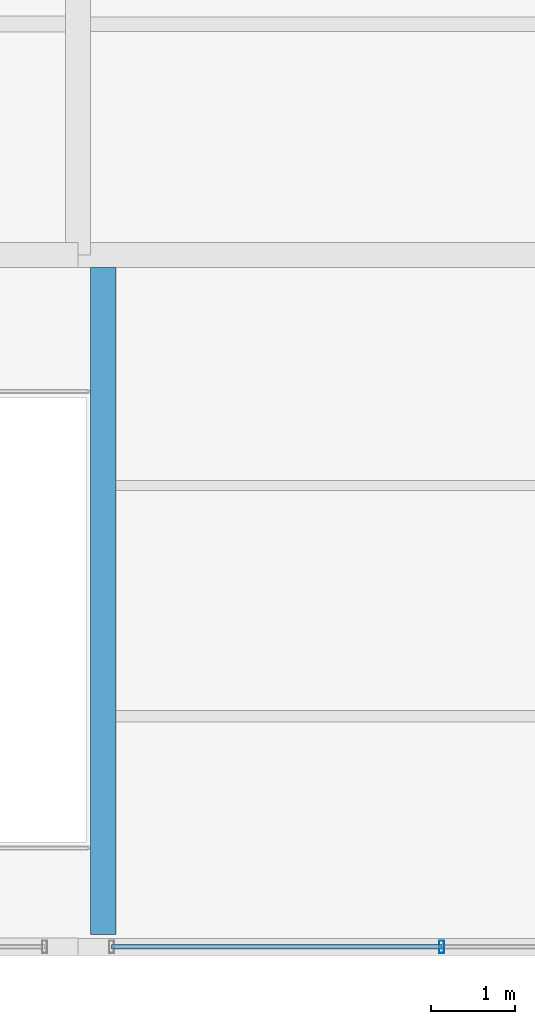
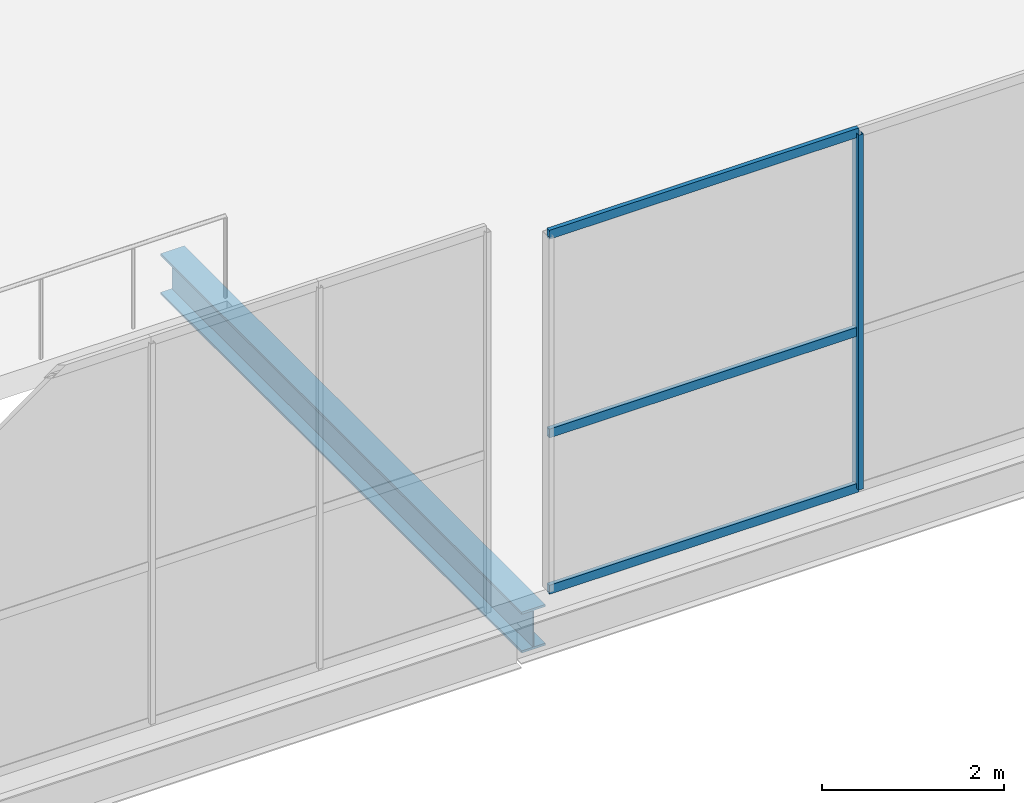
# One storey, part 84 of 144: 4 members, 1 beam, 1 element without a shape of its own.
"""IFC4 building model written with IfcOpenShell, lengths in metres."""

import ifcopenshell
import ifcopenshell.guid

model = None  # the IFC model being written
_history = None  # IfcOwnerHistory: only IFC2X3 demands one
_inside = {}  # id of a spatial element -> (the spatial element, [elements in it])
_under = {}  # id of a project, library or spatial element -> (it, [spatial elements below it])
_declared = {}  # id of a project -> (the project, [libraries it declares])
_typed = {}  # id of a type object -> (the type object, [elements of that type])
_made_of = {}  # id of a material, layer set ... -> (it, [elements and type objects made of it])


def new_model(schema):
    """Start an empty IFC model of exactly this schema.

    Asked for "IFC4X3", IfcOpenShell would pick the latest addendum, in which some entities
    have other attributes; the version numbers below select the first issue.
    IFC2X3 requires an IfcOwnerHistory on every rooted entity: one is made here for all.
    """
    global model, _history
    if schema == "IFC4X3":
        model = ifcopenshell.file(schema_version=(4, 3, 0, 0))
    else:
        model = ifcopenshell.file(schema=schema)
    _inside.clear()
    _under.clear()
    _declared.clear()
    _typed.clear()
    _made_of.clear()
    _history = None
    if model.schema == "IFC2X3":
        org = make("IfcOrganization", Name="unknown")
        user = make(
            "IfcPersonAndOrganization",
            ThePerson=make("IfcPerson", FamilyName="unknown"),
            TheOrganization=org,
        )
        app = make(
            "IfcApplication",
            ApplicationDeveloper=org,
            Version="unknown",
            ApplicationFullName="unknown",
            ApplicationIdentifier="unknown",
        )
        _history = make(
            "IfcOwnerHistory",
            OwningUser=user,
            OwningApplication=app,
            ChangeAction="ADDED",
            CreationDate=0,
        )
    return model


def make(cls, **values):
    """One entity of the class cls with the attributes given. An attribute that is None is left unset."""
    return model.create_entity(
        cls, **{name: value for name, value in values.items() if value is not None}
    )


def rooted(cls, **values):
    """An entity with a GlobalId (a new one), such as an element, a storey or a relation."""
    return make(cls, GlobalId=ifcopenshell.guid.new(), OwnerHistory=_history, **values)


def si_unit(unit_type, name, prefix=None):
    """IfcSIUnit, for example si_unit("LENGTHUNIT", "METRE", prefix="MILLI")."""
    return make("IfcSIUnit", UnitType=unit_type, Prefix=prefix, Name=name)


def assignment(units):
    """IfcUnitAssignment: the units of a project."""
    return None if units is None else make("IfcUnitAssignment", Units=units)


def point(xyz):
    """IfcCartesianPoint."""
    return None if xyz is None else make("IfcCartesianPoint", Coordinates=xyz)


def direction(xyz):
    """IfcDirection."""
    return None if xyz is None else make("IfcDirection", DirectionRatios=xyz)


def frame(location, z_axis=None, x_axis=None):
    """IfcAxis2Placement3D, a coordinate frame: its origin and axes. An axis left out is left unset."""
    return make(
        "IfcAxis2Placement3D",
        Location=point(location),
        Axis=direction(z_axis),
        RefDirection=direction(x_axis),
    )


def frame_2d(location, x_axis=None):
    """IfcAxis2Placement2D, a coordinate frame in the plane: its origin and x axis."""
    return make(
        "IfcAxis2Placement2D", Location=point(location), RefDirection=direction(x_axis)
    )


def origin():
    """The frame at (0, 0, 0) with its axes left unset."""
    return frame((0.0, 0.0, 0.0))


def origin_2d():
    """The frame at (0, 0) in the plane with its x axis left unset."""
    return frame_2d((0.0, 0.0))


def place(relative_to, where):
    """IfcLocalPlacement: puts the frame where relative to a parent placement (None: the world)."""
    return make(
        "IfcLocalPlacement", PlacementRelTo=relative_to, RelativePlacement=where
    )


def context(
    kind, dimensions, precision=None, world=None, true_north=None, identifier=None
):
    """IfcGeometricRepresentationContext, for example the 3D "Model" context."""
    return make(
        "IfcGeometricRepresentationContext",
        ContextIdentifier=identifier,
        ContextType=kind,
        CoordinateSpaceDimension=dimensions,
        Precision=precision,
        WorldCoordinateSystem=world,
        TrueNorth=true_north,
    )


def subcontext(parent, identifier, kind, view, scale=None):
    """IfcGeometricRepresentationSubContext, for example "Body" below "Model"."""
    return make(
        "IfcGeometricRepresentationSubContext",
        ContextIdentifier=identifier,
        ContextType=kind,
        ParentContext=parent,
        TargetScale=scale,
        TargetView=view,
    )


def project(units=None, contexts=None):
    """IfcProject with its units and contexts."""
    return rooted(
        "IfcProject",
        Name="project",
        RepresentationContexts=contexts,
        UnitsInContext=assignment(units),
    )


def spatial(cls, under=None, at=None, **own):
    """A site, building, storey or space (cls), placed at a placement, below another one or the project."""
    s = rooted(cls, ObjectPlacement=at, **own)
    if under is not None:
        _under.setdefault(under.id(), (under, []))[1].append(s)
    return s


def profile(cls, at=None, kind="AREA", **sizes):
    """A parametric profile (cls). Its sizes go by their IFC names, for example OverallWidth=200.0."""
    return make(cls, ProfileType=kind, Position=at, **sizes)


def hollow_rectangle(**sizes):
    """IfcRectangleHollowProfileDef."""
    return profile("IfcRectangleHollowProfileDef", **sizes)


def i_section(**sizes):
    """IfcIShapeProfileDef."""
    return profile("IfcIShapeProfileDef", **sizes)


def extrude(swept, where, along, depth):
    """IfcExtrudedAreaSolid: the profile swept, set in the frame where, extruded along a direction by depth."""
    return make(
        "IfcExtrudedAreaSolid",
        SweptArea=swept,
        Position=where,
        ExtrudedDirection=direction(along),
        Depth=depth,
    )


def shape(context_of_items, identifier, shape_type, items):
    """IfcShapeRepresentation: the items that make up one representation, for example the "Body"."""
    return make(
        "IfcShapeRepresentation",
        ContextOfItems=context_of_items,
        RepresentationIdentifier=identifier,
        RepresentationType=shape_type,
        Items=items,
    )


def material(Name=None, Category=None):
    """IfcMaterial."""
    return make("IfcMaterial", Name=Name, Category=Category)


def layer(
    of_material, thickness, ventilated=None, Name=None, Category=None, Priority=None
):
    """IfcMaterialLayer: one layer of a wall or slab, of a material (None: an air gap)."""
    return make(
        "IfcMaterialLayer",
        Material=of_material,
        LayerThickness=thickness,
        IsVentilated=ventilated,
        Name=Name,
        Category=Category,
        Priority=Priority,
    )


def layer_set(layers, Name=None):
    """IfcMaterialLayerSet."""
    return make("IfcMaterialLayerSet", MaterialLayers=layers, LayerSetName=Name)


def material_profile(
    of_material, cross_section, Name=None, Category=None, Priority=None
):
    """IfcMaterialProfile: a cross section and its material."""
    return make(
        "IfcMaterialProfile",
        Name=Name,
        Material=of_material,
        Profile=cross_section,
        Priority=Priority,
        Category=Category,
    )


def profile_set(profiles, Name=None, composite=None):
    """IfcMaterialProfileSet."""
    return make(
        "IfcMaterialProfileSet",
        Name=Name,
        MaterialProfiles=profiles,
        CompositeProfile=composite,
    )


def made_of(thing, what):
    """Note that an element or type object is made of a material, layer set ...; save() writes the relation."""
    if what is not None:
        _made_of.setdefault(what.id(), (what, []))[1].append(thing)
    return thing


def type_object(cls, material=None, **own):
    """A type object (cls), such as IfcWallType, which elements share."""
    return made_of(rooted(cls, **own), material)


def element(
    cls,
    number,
    at=None,
    inside=None,
    cuts=None,
    type_object=None,
    material=None,
    context=None,
    identifier="Body",
    shape_type=None,
    held_by="IfcProductDefinitionShape",
    body=None,
    shapes=None,
    **own,
):
    """One element of the class cls, such as IfcWall. Its Tag is "e" and its number.

    at: its placement. inside: the storey or other place that contains it. cuts: it is an
    opening in that element (IfcRelVoidsElement). A single representation is given by context,
    identifier, shape_type and body (its items); several are given by shapes. held_by: the class
    of the entity that holds the representations. save() writes the other relations.
    """
    e = rooted(cls, Tag="e%d" % number, ObjectPlacement=at, **own)
    if body is not None:
        shapes = [shape(context, identifier, shape_type, body)]
    if shapes is not None:
        e.Representation = make(held_by, Representations=shapes)
    if inside is not None:
        _inside.setdefault(inside.id(), (inside, []))[1].append(e)
    if cuts is not None:
        rooted(
            "IfcRelVoidsElement", RelatingBuildingElement=cuts, RelatedOpeningElement=e
        )
    if type_object is not None:
        _typed.setdefault(type_object.id(), (type_object, []))[1].append(e)
    return made_of(e, material)


def aggregate(whole, parts):
    """IfcRelAggregates: a whole, such as a stair, and the parts it consists of."""
    return rooted("IfcRelAggregates", RelatingObject=whole, RelatedObjects=parts)


def save(model, path):
    """Write the relations noted so far, then the file.

    IfcRelAggregates (storeys below a building ...), IfcRelContainedInSpatialStructure (elements
    in a storey), IfcRelDefinesByType, IfcRelAssociatesMaterial and IfcRelDeclares: one each for
    every whole, place, type object, material and project.
    """
    for whole, parts in _under.values():
        aggregate(whole, parts)
    for where, things in _inside.values():
        rooted(
            "IfcRelContainedInSpatialStructure",
            RelatedElements=things,
            RelatingStructure=where,
        )
    for kind, things in _typed.values():
        rooted("IfcRelDefinesByType", RelatedObjects=things, RelatingType=kind)
    for what, things in _made_of.values():
        rooted("IfcRelAssociatesMaterial", RelatedObjects=things, RelatingMaterial=what)
    for by, libraries in _declared.values():
        rooted("IfcRelDeclares", RelatingContext=by, RelatedDefinitions=libraries)
    model.write(path)


model = new_model("IFC4")

# Units and contexts
model_context = context("Model", 3, precision=1e-05, world=origin(), true_north=direction((0.0, 1.0)))
body_context = subcontext(model_context, "Body", "Model", "MODEL_VIEW")
ifc_project = project(units=[si_unit("LENGTHUNIT", "METRE"), si_unit("AREAUNIT", "SQUARE_METRE"), si_unit("VOLUMEUNIT", "CUBIC_METRE"), si_unit("PLANEANGLEUNIT", "RADIAN"), si_unit("MASSUNIT", "GRAM", prefix="KILO")], contexts=[model_context])

# Site, building, storey
site_placement = place(None, origin())
site = spatial("IfcSite", under=ifc_project, at=site_placement, CompositionType="ELEMENT")
building_placement = place(site_placement, origin())
building = spatial("IfcBuilding", under=site, at=building_placement, Name="Sundgate Opera House", CompositionType="ELEMENT")
storey_placement = place(building_placement, origin())
storey = spatial("IfcBuildingStorey", under=building, at=storey_placement, Name="L00", CompositionType="ELEMENT", Elevation=0.0)

# Beam
ifc_material_1 = material(Name="Steel S355J2", Category="steel")
ifc_material_profile_1 = material_profile(ifc_material_1, i_section(OverallWidth=0.300048828125, OverallDepth=0.550048828125, WebThickness=0.014892578125, FlangeThickness=0.029052734375, at=origin_2d()), Name="HEB 550")
ifc_profile_set_1 = profile_set([ifc_material_profile_1], Name="Steel S355J2")
beam_type = type_object("IfcBeamType", Name="BM-GR-HEB550", PredefinedType="BEAM", material=ifc_profile_set_1)
beam_placement = place(storey_placement, frame((167.699951171875, 0.14990234375, -0.594970703125), z_axis=(0.0, 1.0, 0.0), x_axis=(-1.0, 0.0, 0.0)))
element("IfcBeam", 1, at=beam_placement, inside=storey, type_object=beam_type, Name="L00 Ramp Opening East Edge Girder B0602", PredefinedType="BEAM", context=body_context, shape_type="SweptSolid", body=[
    extrude(i_section(OverallWidth=0.300048828125, OverallDepth=0.550048828125, WebThickness=0.014892578125, FlangeThickness=0.029052734375, at=origin_2d()), origin(), (0.0, 0.0, 1.0), 7.9501953125),
])

# Curtain wall, members
ifc_material_2 = material(Name="Anodized aluminium and low-iron glass", Category="aluminium")
ifc_layer = layer(ifc_material_2, 0.14990234375)
ifc_layer_set = layer_set([ifc_layer], Name="Anodized aluminium and low-iron glass")
curtain_wall_type = type_object("IfcCurtainWallType", Name="CW-WORKSHOP-DARK", PredefinedType="NOTDEFINED", material=ifc_layer_set)
curtain_wall_placement = place(storey_placement, origin())
curtain_wall = element("IfcCurtainWall", 2, at=curtain_wall_placement, inside=storey, type_object=curtain_wall_type, Name="L00 Curtain Wall CW130", PredefinedType="NOTDEFINED")
ifc_material_3 = material(Name="Anodized aluminium EN AW-6063", Category="aluminium")
ifc_material_profile_2 = material_profile(ifc_material_3, hollow_rectangle(XDim=0.06005859375, YDim=0.14990234375, WallThickness=0.00390625, at=origin_2d()), Name="CWM 150x60x4")
ifc_profile_set_2 = profile_set([ifc_material_profile_2], Name="Anodized aluminium EN AW-6063")
member_type_1 = type_object("IfcMemberType", Name="CWM-ALU-150x60", PredefinedType="MULLION", material=ifc_profile_set_2)
member_1_placement = place(storey_placement, frame((171.7333984375, 0.0, 0.0), z_axis=(0.0, 0.0, 1.0), x_axis=(1.0, 0.0, 0.0)))
member_1 = element("IfcMember", 3, at=member_1_placement, type_object=member_type_1, Name="CW130 Mullion 3", PredefinedType="MULLION", context=body_context, shape_type="SweptSolid", body=[
    extrude(hollow_rectangle(XDim=0.06005859375, YDim=0.14990234375, WallThickness=0.00390625, at=origin_2d()), origin(), (0.0, 0.0, 1.0), 4.77001953125),
])
ifc_material_4 = material(Name="Anodized aluminium EN AW-6063", Category="aluminium")
ifc_material_profile_3 = material_profile(ifc_material_4, hollow_rectangle(XDim=0.054931640625, YDim=0.1201171875, WallThickness=0.00390625, at=origin_2d()), Name="CWT 120x55x4")
ifc_profile_set_3 = profile_set([ifc_material_profile_3], Name="Anodized aluminium EN AW-6063")
member_type_2 = type_object("IfcMemberType", Name="CWT-ALU-120x55", PredefinedType="USERDEFINED", material=ifc_profile_set_3)
member_2_placement = place(storey_placement, frame((171.7333984375, 0.0, 0.0), z_axis=(-1.0, 0.0, 0.0), x_axis=(0.0, -1.0, 0.0)))
member_2 = element("IfcMember", 4, at=member_2_placement, type_object=member_type_2, Name="CW130 Transom 7", ObjectType="TRANSOM", PredefinedType="USERDEFINED", context=body_context, shape_type="SweptSolid", body=[
    extrude(hollow_rectangle(XDim=0.054931640625, YDim=0.1201171875, WallThickness=0.00390625, at=origin_2d()), origin(), (0.0, 0.0, 1.0), 3.933349609375),
])
member_3_placement = place(storey_placement, frame((171.7333984375, 0.0, 2.10009765625), z_axis=(-1.0, 0.0, 0.0), x_axis=(0.0, -1.0, 0.0)))
member_3 = element("IfcMember", 5, at=member_3_placement, type_object=member_type_2, Name="CW130 Transom 8", ObjectType="TRANSOM", PredefinedType="USERDEFINED", context=body_context, shape_type="SweptSolid", body=[
    extrude(hollow_rectangle(XDim=0.054931640625, YDim=0.1201171875, WallThickness=0.00390625, at=origin_2d()), origin(), (0.0, 0.0, 1.0), 3.933349609375),
])
member_4_placement = place(storey_placement, frame((171.7333984375, 0.0, 4.77001953125), z_axis=(-1.0, 0.0, 0.0), x_axis=(0.0, -1.0, 0.0)))
member_4 = element("IfcMember", 6, at=member_4_placement, type_object=member_type_2, Name="CW130 Transom 9", ObjectType="TRANSOM", PredefinedType="USERDEFINED", context=body_context, shape_type="SweptSolid", body=[
    extrude(hollow_rectangle(XDim=0.054931640625, YDim=0.1201171875, WallThickness=0.00390625, at=origin_2d()), origin(), (0.0, 0.0, 1.0), 3.933349609375),
])
aggregate(curtain_wall, [member_1, member_2, member_3, member_4])

save(model, "model.ifc")
